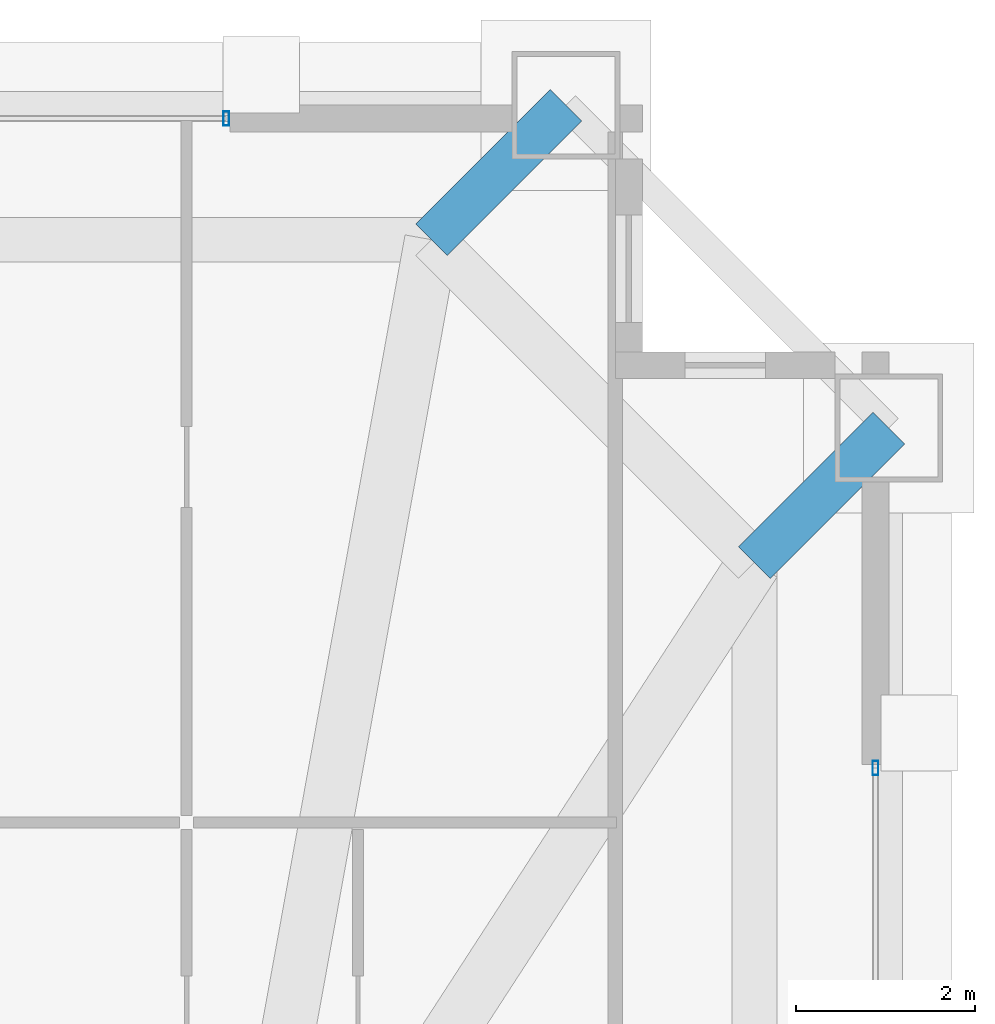
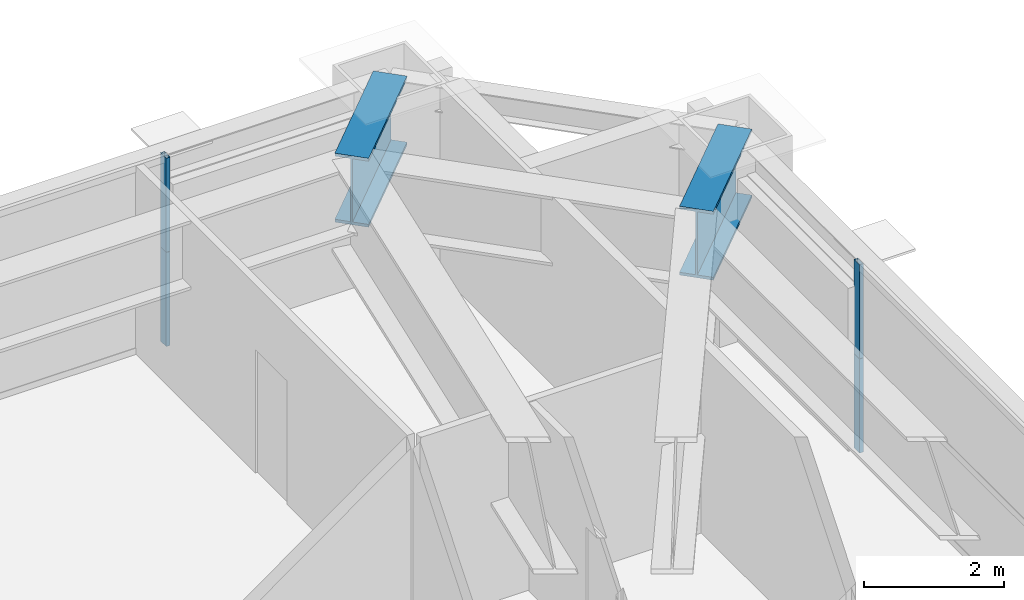
# One storey, part 27 of 33: 4 members, 2 beams, 2 elements without a shape of their own.
"""IFC4 building model written with IfcOpenShell, lengths in metres."""

import ifcopenshell
import ifcopenshell.guid

model = None  # the IFC model being written
_history = None  # IfcOwnerHistory: only IFC2X3 demands one
_inside = {}  # id of a spatial element -> (the spatial element, [elements in it])
_under = {}  # id of a project, library or spatial element -> (it, [spatial elements below it])
_declared = {}  # id of a project -> (the project, [libraries it declares])
_typed = {}  # id of a type object -> (the type object, [elements of that type])
_made_of = {}  # id of a material, layer set ... -> (it, [elements and type objects made of it])


def new_model(schema):
    """Start an empty IFC model of exactly this schema.

    Asked for "IFC4X3", IfcOpenShell would pick the latest addendum, in which some entities
    have other attributes; the version numbers below select the first issue.
    IFC2X3 requires an IfcOwnerHistory on every rooted entity: one is made here for all.
    """
    global model, _history
    if schema == "IFC4X3":
        model = ifcopenshell.file(schema_version=(4, 3, 0, 0))
    else:
        model = ifcopenshell.file(schema=schema)
    _inside.clear()
    _under.clear()
    _declared.clear()
    _typed.clear()
    _made_of.clear()
    _history = None
    if model.schema == "IFC2X3":
        org = make("IfcOrganization", Name="unknown")
        user = make(
            "IfcPersonAndOrganization",
            ThePerson=make("IfcPerson", FamilyName="unknown"),
            TheOrganization=org,
        )
        app = make(
            "IfcApplication",
            ApplicationDeveloper=org,
            Version="unknown",
            ApplicationFullName="unknown",
            ApplicationIdentifier="unknown",
        )
        _history = make(
            "IfcOwnerHistory",
            OwningUser=user,
            OwningApplication=app,
            ChangeAction="ADDED",
            CreationDate=0,
        )
    return model


def make(cls, **values):
    """One entity of the class cls with the attributes given. An attribute that is None is left unset."""
    return model.create_entity(
        cls, **{name: value for name, value in values.items() if value is not None}
    )


def rooted(cls, **values):
    """An entity with a GlobalId (a new one), such as an element, a storey or a relation."""
    return make(cls, GlobalId=ifcopenshell.guid.new(), OwnerHistory=_history, **values)


def si_unit(unit_type, name, prefix=None):
    """IfcSIUnit, for example si_unit("LENGTHUNIT", "METRE", prefix="MILLI")."""
    return make("IfcSIUnit", UnitType=unit_type, Prefix=prefix, Name=name)


def assignment(units):
    """IfcUnitAssignment: the units of a project."""
    return None if units is None else make("IfcUnitAssignment", Units=units)


def point(xyz):
    """IfcCartesianPoint."""
    return None if xyz is None else make("IfcCartesianPoint", Coordinates=xyz)


def direction(xyz):
    """IfcDirection."""
    return None if xyz is None else make("IfcDirection", DirectionRatios=xyz)


def frame(location, z_axis=None, x_axis=None):
    """IfcAxis2Placement3D, a coordinate frame: its origin and axes. An axis left out is left unset."""
    return make(
        "IfcAxis2Placement3D",
        Location=point(location),
        Axis=direction(z_axis),
        RefDirection=direction(x_axis),
    )


def frame_2d(location, x_axis=None):
    """IfcAxis2Placement2D, a coordinate frame in the plane: its origin and x axis."""
    return make(
        "IfcAxis2Placement2D", Location=point(location), RefDirection=direction(x_axis)
    )


def origin():
    """The frame at (0, 0, 0) with its axes left unset."""
    return frame((0.0, 0.0, 0.0))


def origin_2d():
    """The frame at (0, 0) in the plane with its x axis left unset."""
    return frame_2d((0.0, 0.0))


def place(relative_to, where):
    """IfcLocalPlacement: puts the frame where relative to a parent placement (None: the world)."""
    return make(
        "IfcLocalPlacement", PlacementRelTo=relative_to, RelativePlacement=where
    )


def context(
    kind, dimensions, precision=None, world=None, true_north=None, identifier=None
):
    """IfcGeometricRepresentationContext, for example the 3D "Model" context."""
    return make(
        "IfcGeometricRepresentationContext",
        ContextIdentifier=identifier,
        ContextType=kind,
        CoordinateSpaceDimension=dimensions,
        Precision=precision,
        WorldCoordinateSystem=world,
        TrueNorth=true_north,
    )


def subcontext(parent, identifier, kind, view, scale=None):
    """IfcGeometricRepresentationSubContext, for example "Body" below "Model"."""
    return make(
        "IfcGeometricRepresentationSubContext",
        ContextIdentifier=identifier,
        ContextType=kind,
        ParentContext=parent,
        TargetScale=scale,
        TargetView=view,
    )


def project(units=None, contexts=None):
    """IfcProject with its units and contexts."""
    return rooted(
        "IfcProject",
        Name="project",
        RepresentationContexts=contexts,
        UnitsInContext=assignment(units),
    )


def spatial(cls, under=None, at=None, **own):
    """A site, building, storey or space (cls), placed at a placement, below another one or the project."""
    s = rooted(cls, ObjectPlacement=at, **own)
    if under is not None:
        _under.setdefault(under.id(), (under, []))[1].append(s)
    return s


def profile(cls, at=None, kind="AREA", **sizes):
    """A parametric profile (cls). Its sizes go by their IFC names, for example OverallWidth=200.0."""
    return make(cls, ProfileType=kind, Position=at, **sizes)


def hollow_rectangle(**sizes):
    """IfcRectangleHollowProfileDef."""
    return profile("IfcRectangleHollowProfileDef", **sizes)


def i_section(**sizes):
    """IfcIShapeProfileDef."""
    return profile("IfcIShapeProfileDef", **sizes)


def extrude(swept, where, along, depth):
    """IfcExtrudedAreaSolid: the profile swept, set in the frame where, extruded along a direction by depth."""
    return make(
        "IfcExtrudedAreaSolid",
        SweptArea=swept,
        Position=where,
        ExtrudedDirection=direction(along),
        Depth=depth,
    )


def shape(context_of_items, identifier, shape_type, items):
    """IfcShapeRepresentation: the items that make up one representation, for example the "Body"."""
    return make(
        "IfcShapeRepresentation",
        ContextOfItems=context_of_items,
        RepresentationIdentifier=identifier,
        RepresentationType=shape_type,
        Items=items,
    )


def source(mapping_origin, context_of_items, identifier, shape_type, items):
    """IfcRepresentationMap: a shape defined once, which mapped items show again and again."""
    return make(
        "IfcRepresentationMap",
        MappingOrigin=mapping_origin,
        MappedRepresentation=shape(context_of_items, identifier, shape_type, items),
    )


def transform(
    local_origin,
    x_axis=None,
    y_axis=None,
    z_axis=None,
    scale=None,
    scale2=None,
    scale3=None,
    uniform=True,
):
    """IfcCartesianTransformationOperator3D, or its non-uniform kind. x_axis, y_axis, z_axis: its Axis1, 2, 3."""
    if uniform:
        return make(
            "IfcCartesianTransformationOperator3D",
            Axis1=direction(x_axis),
            Axis2=direction(y_axis),
            LocalOrigin=point(local_origin),
            Scale=scale,
            Axis3=direction(z_axis),
        )
    return make(
        "IfcCartesianTransformationOperator3DnonUniform",
        Axis1=direction(x_axis),
        Axis2=direction(y_axis),
        LocalOrigin=point(local_origin),
        Scale=scale,
        Axis3=direction(z_axis),
        Scale2=scale2,
        Scale3=scale3,
    )


def mapped(mapping_source, mapping_target):
    """IfcMappedItem: shows the shape of a source again, moved by a transform."""
    return make(
        "IfcMappedItem", MappingSource=mapping_source, MappingTarget=mapping_target
    )


def material(Name=None, Category=None):
    """IfcMaterial."""
    return make("IfcMaterial", Name=Name, Category=Category)


def layer(
    of_material, thickness, ventilated=None, Name=None, Category=None, Priority=None
):
    """IfcMaterialLayer: one layer of a wall or slab, of a material (None: an air gap)."""
    return make(
        "IfcMaterialLayer",
        Material=of_material,
        LayerThickness=thickness,
        IsVentilated=ventilated,
        Name=Name,
        Category=Category,
        Priority=Priority,
    )


def layer_set(layers, Name=None):
    """IfcMaterialLayerSet."""
    return make("IfcMaterialLayerSet", MaterialLayers=layers, LayerSetName=Name)


def material_profile(
    of_material, cross_section, Name=None, Category=None, Priority=None
):
    """IfcMaterialProfile: a cross section and its material."""
    return make(
        "IfcMaterialProfile",
        Name=Name,
        Material=of_material,
        Profile=cross_section,
        Priority=Priority,
        Category=Category,
    )


def profile_set(profiles, Name=None, composite=None):
    """IfcMaterialProfileSet."""
    return make(
        "IfcMaterialProfileSet",
        Name=Name,
        MaterialProfiles=profiles,
        CompositeProfile=composite,
    )


def made_of(thing, what):
    """Note that an element or type object is made of a material, layer set ...; save() writes the relation."""
    if what is not None:
        _made_of.setdefault(what.id(), (what, []))[1].append(thing)
    return thing


def type_object(cls, material=None, **own):
    """A type object (cls), such as IfcWallType, which elements share."""
    return made_of(rooted(cls, **own), material)


def element(
    cls,
    number,
    at=None,
    inside=None,
    cuts=None,
    type_object=None,
    material=None,
    context=None,
    identifier="Body",
    shape_type=None,
    held_by="IfcProductDefinitionShape",
    body=None,
    shapes=None,
    **own,
):
    """One element of the class cls, such as IfcWall. Its Tag is "e" and its number.

    at: its placement. inside: the storey or other place that contains it. cuts: it is an
    opening in that element (IfcRelVoidsElement). A single representation is given by context,
    identifier, shape_type and body (its items); several are given by shapes. held_by: the class
    of the entity that holds the representations. save() writes the other relations.
    """
    e = rooted(cls, Tag="e%d" % number, ObjectPlacement=at, **own)
    if body is not None:
        shapes = [shape(context, identifier, shape_type, body)]
    if shapes is not None:
        e.Representation = make(held_by, Representations=shapes)
    if inside is not None:
        _inside.setdefault(inside.id(), (inside, []))[1].append(e)
    if cuts is not None:
        rooted(
            "IfcRelVoidsElement", RelatingBuildingElement=cuts, RelatedOpeningElement=e
        )
    if type_object is not None:
        _typed.setdefault(type_object.id(), (type_object, []))[1].append(e)
    return made_of(e, material)


def aggregate(whole, parts):
    """IfcRelAggregates: a whole, such as a stair, and the parts it consists of."""
    return rooted("IfcRelAggregates", RelatingObject=whole, RelatedObjects=parts)


def save(model, path):
    """Write the relations noted so far, then the file.

    IfcRelAggregates (storeys below a building ...), IfcRelContainedInSpatialStructure (elements
    in a storey), IfcRelDefinesByType, IfcRelAssociatesMaterial and IfcRelDeclares: one each for
    every whole, place, type object, material and project.
    """
    for whole, parts in _under.values():
        aggregate(whole, parts)
    for where, things in _inside.values():
        rooted(
            "IfcRelContainedInSpatialStructure",
            RelatedElements=things,
            RelatingStructure=where,
        )
    for kind, things in _typed.values():
        rooted("IfcRelDefinesByType", RelatedObjects=things, RelatingType=kind)
    for what, things in _made_of.values():
        rooted("IfcRelAssociatesMaterial", RelatedObjects=things, RelatingMaterial=what)
    for by, libraries in _declared.values():
        rooted("IfcRelDeclares", RelatingContext=by, RelatedDefinitions=libraries)
    model.write(path)


model = new_model("IFC4")

# Units and contexts
model_context = context("Model", 3, precision=1e-05, world=origin(), true_north=direction((0.0, 1.0)))
body_context = subcontext(model_context, "Body", "Model", "MODEL_VIEW")
ifc_project = project(units=[si_unit("LENGTHUNIT", "METRE"), si_unit("AREAUNIT", "SQUARE_METRE"), si_unit("VOLUMEUNIT", "CUBIC_METRE"), si_unit("PLANEANGLEUNIT", "RADIAN"), si_unit("MASSUNIT", "GRAM", prefix="KILO"), si_unit("THERMODYNAMICTEMPERATUREUNIT", "KELVIN"), si_unit("POWERUNIT", "WATT")], contexts=[model_context])

# Site, building, storey
site_placement = place(None, origin())
site = spatial("IfcSite", under=ifc_project, at=site_placement, CompositionType="ELEMENT")
building_placement = place(site_placement, origin())
building = spatial("IfcBuilding", under=site, at=building_placement, Name="Yuzanri Waterfront Tower", CompositionType="ELEMENT")
storey_placement = place(building_placement, frame((0.0, 0.0, 282.10009765625)))
storey = spatial("IfcBuildingStorey", under=building, at=storey_placement, Name="L75", CompositionType="ELEMENT", Elevation=282.10009765625)

# Beams
ifc_material_1 = material(Name="Steel Q420GJC", Category="steel")
ifc_material_profile_1 = material_profile(ifc_material_1, i_section(OverallWidth=0.5, OverallDepth=1.199951171875, WebThickness=0.028076171875, FlangeThickness=0.050048828125, at=origin_2d()), Name="PG 1200x500x28x50")
ifc_profile_set_1 = profile_set([ifc_material_profile_1], Name="Steel Q420GJC")
beam_type = type_object("IfcBeamType", Name="Setback Transfer Girder Q420GJC PG 1200x500", PredefinedType="USERDEFINED", material=ifc_profile_set_1)
shared_shape_1 = source(origin(), body_context, "Body", "SweptSolid", [
    extrude(i_section(OverallWidth=0.5, OverallDepth=1.199951171875, WebThickness=0.028076171875, FlangeThickness=0.050048828125, at=origin_2d()), origin(), (0.0, 0.0, 1.0), 2.121337890625),
])
for number, where, z_axis, x_axis, name in (
    (1, (52.5, 44.89990234375, 2.679931640625), (0.707106781187, 0.707106781187, 0.0), (-0.707106781187, 0.707106781187, 0.0), "L75 Setback Step Transfer N3"),
    (2, (56.10009765625, 41.300048828125, 2.679931640625), (0.707106781187, 0.707106781187, 0.0), (-0.707106781187, 0.707106781187, 0.0), "L75 Setback Step Transfer E3"),
):
    element("IfcBeam", number, at=place(storey_placement, frame(where, z_axis=z_axis, x_axis=x_axis)), inside=storey, type_object=beam_type, Name=name, ObjectType="GIRDER", PredefinedType="USERDEFINED", context=body_context, shape_type="MappedRepresentation", body=[
        mapped(shared_shape_1, transform((0.0, 0.0, 0.0), scale=1.0)),
    ])

# Curtain wall, members
ifc_material_2 = material(Name="Anodized Architectural Bronze", Category="metal")
ifc_layer = layer(ifc_material_2, 0.159912109375)
ifc_layer_set = layer_set([ifc_layer], Name="Anodized Architectural Bronze")
curtain_wall_type = type_object("IfcCurtainWallType", Name="Anodized Bronze Mid-Rise Residential Acoustic Unitized Curtain Wall 7200", PredefinedType="NOTDEFINED", material=ifc_layer_set)
curtain_wall_1_placement = place(storey_placement, origin())
curtain_wall_1 = element("IfcCurtainWall", 3, at=curtain_wall_1_placement, inside=storey, type_object=curtain_wall_type, Name="L75 Curtain Wall CW-L75-NR", PredefinedType="NOTDEFINED")
ifc_material_3 = material(Name="Anodized Architectural Bronze", Category="metal")
ifc_material_profile_2 = material_profile(ifc_material_3, hollow_rectangle(XDim=0.06494140625, YDim=0.159912109375, WallThickness=0.00341796875, at=origin_2d()), Name="CWM 65x160")
ifc_profile_set_2 = profile_set([ifc_material_profile_2], Name="Anodized Architectural Bronze")
member_type = type_object("IfcMemberType", Name="Anodized Bronze Upper-Zone Curtain-Wall Mullion 65x160", PredefinedType="MULLION", material=ifc_profile_set_2)
shared_shape_2 = source(origin(), body_context, "Body", "SweptSolid", [
    extrude(hollow_rectangle(XDim=0.06494140625, YDim=0.159912109375, WallThickness=0.00341796875, at=origin_2d()), origin(), (0.0, 0.0, 1.0), 1.637939453125),
])
member_1_placement = place(storey_placement, frame((50.2099609375, 46.25, 0.0), z_axis=(0.0, 0.0, 1.0), x_axis=(1.0, 0.0, 0.0)))
member_1 = element("IfcMember", 4, at=member_1_placement, type_object=member_type, Name="CW-L75-NR Lower Mullion 02", PredefinedType="MULLION", context=body_context, shape_type="MappedRepresentation", body=[
    mapped(shared_shape_2, transform((0.0, 0.0, 0.0), scale=1.0)),
])
member_2_placement = place(storey_placement, frame((50.2099609375, 46.25, 1.641845703125), z_axis=(0.0, 0.0, 1.0), x_axis=(1.0, 0.0, 0.0)))
member_2 = element("IfcMember", 5, at=member_2_placement, type_object=member_type, Name="CW-L75-NR Upper Mullion 02", PredefinedType="MULLION", context=body_context, shape_type="MappedRepresentation", body=[
    mapped(shared_shape_2, transform((0.0, 0.0, 0.0), scale=1.0)),
])
aggregate(curtain_wall_1, [member_1, member_2])

curtain_wall_2_placement = place(storey_placement, origin())
curtain_wall_2 = element("IfcCurtainWall", 6, at=curtain_wall_2_placement, inside=storey, type_object=curtain_wall_type, Name="L75 Curtain Wall CW-L75-ER", PredefinedType="NOTDEFINED")
member_3_placement = place(storey_placement, frame((57.449951171875, 39.010009765625, 0.0), z_axis=(0.0, 0.0, 1.0), x_axis=(1.0, 0.0, 0.0)))
member_3 = element("IfcMember", 7, at=member_3_placement, type_object=member_type, Name="CW-L75-ER Lower Mullion 02", PredefinedType="MULLION", context=body_context, shape_type="MappedRepresentation", body=[
    mapped(shared_shape_2, transform((0.0, 0.0, 0.0), scale=1.0)),
])
member_4_placement = place(storey_placement, frame((57.449951171875, 39.010009765625, 1.641845703125), z_axis=(0.0, 0.0, 1.0), x_axis=(1.0, 0.0, 0.0)))
member_4 = element("IfcMember", 8, at=member_4_placement, type_object=member_type, Name="CW-L75-ER Upper Mullion 02", PredefinedType="MULLION", context=body_context, shape_type="MappedRepresentation", body=[
    mapped(shared_shape_2, transform((0.0, 0.0, 0.0), scale=1.0)),
])
aggregate(curtain_wall_2, [member_3, member_4])

save(model, "model.ifc")
